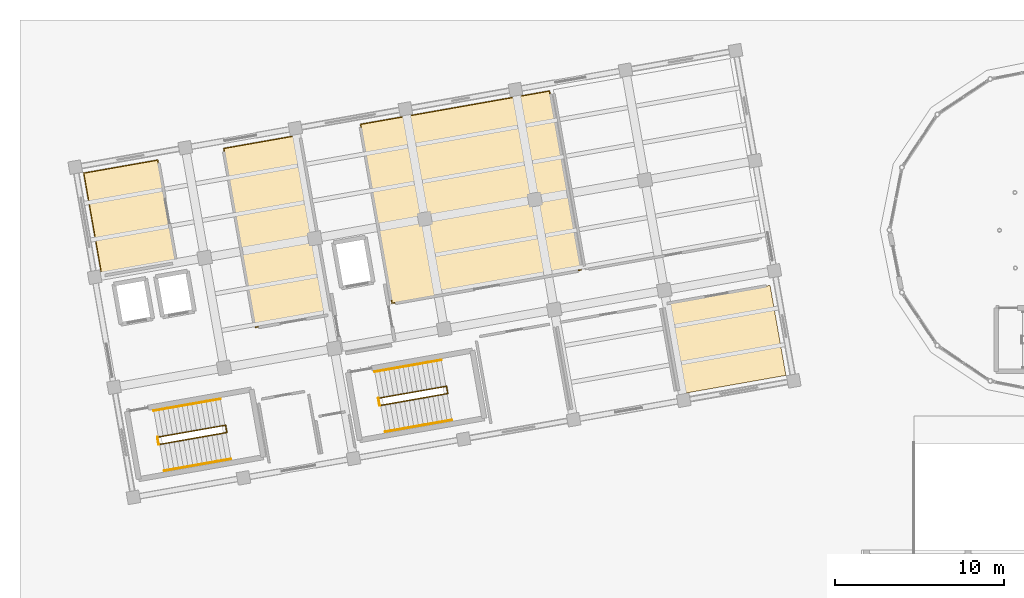
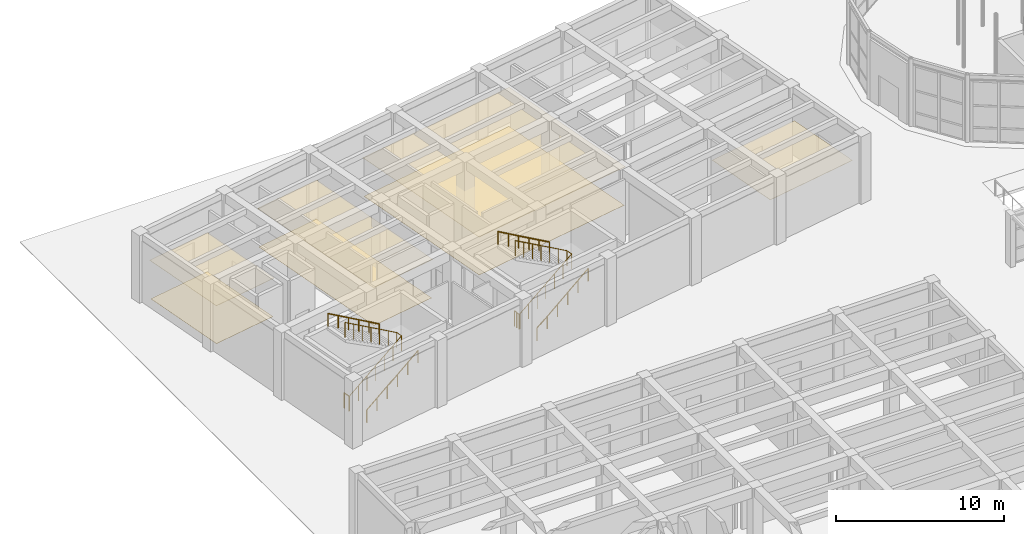
# One storey, part 53 of 57: 8 railings, 7 coverings.
"""IFC4 building model written with IfcOpenShell, lengths in metres."""

from ifc_helpers import new_model, si_unit, direction, frame, origin, origin_2d, place, context, subcontext, project, spatial, polyline, circle, outline, extrude, material, layer, layer_set, type_object, element, save


model = new_model("IFC4")

# Units and contexts
model_context = context("Model", 3, precision=1e-05, world=origin(), true_north=direction((0.0, 1.0)))
body_context = subcontext(model_context, "Body", "Model", "MODEL_VIEW")
ifc_project = project(units=[si_unit("LENGTHUNIT", "METRE"), si_unit("AREAUNIT", "SQUARE_METRE"), si_unit("VOLUMEUNIT", "CUBIC_METRE"), si_unit("PLANEANGLEUNIT", "RADIAN"), si_unit("MASSUNIT", "GRAM", prefix="KILO")], contexts=[model_context])

# Site, building, storey
site_placement = place(None, origin())
site = spatial("IfcSite", under=ifc_project, at=site_placement, CompositionType="ELEMENT")
building_placement = place(site_placement, origin())
building = spatial("IfcBuilding", under=site, at=building_placement, Name="Kharisveld Research Institute", CompositionType="ELEMENT")
storey_placement = place(building_placement, origin())
storey = spatial("IfcBuildingStorey", under=building, at=storey_placement, Name="L00", CompositionType="ELEMENT", Elevation=0.0)

# Coverings
ifc_material_1 = material(Name="Mineral-Fibre Acoustic Ceiling", Category="mineral")
ifc_layer_1 = layer(ifc_material_1, 0.02490234375)
ifc_layer_set_1 = layer_set([ifc_layer_1], Name="CV_CEIL_AC")
covering_type_1 = type_object("IfcCoveringType", Name="CV_CEIL_AC", PredefinedType="CEILING", material=ifc_layer_set_1)
covering_1_placement = place(storey_placement, frame((0.0, 0.0, 2.800048828125)))
element("IfcCovering", 1, at=covering_1_placement, inside=storey, type_object=covering_type_1, Name="COV:RM:V1:L00:SEM0:CEIL", PredefinedType="CEILING", context=body_context, shape_type="SweptSolid", body=[
    extrude(outline(polyline([(37.43212890625, 41.099609375), (43.735107421875, 42.2109375), (42.79736328125, 47.52880859375), (36.49462890625, 46.41748046875), (37.43212890625, 41.099609375)])), origin(), (0.0, 0.0, 1.0), 0.02490234375),
])
covering_2_placement = place(storey_placement, frame((0.0, 0.0, 2.800048828125)))
element("IfcCovering", 2, at=covering_2_placement, inside=storey, type_object=covering_type_1, Name="COV:RM:V1:L00:DL0W:CEIL", PredefinedType="CEILING", context=body_context, shape_type="SweptSolid", body=[
    extrude(outline(polyline([(3.3017578125, 48.078857421875), (7.7333984375, 48.8603515625), (6.65673828125, 54.966064453125), (2.22509765625, 54.184814453125), (3.3017578125, 48.078857421875)])), origin(), (0.0, 0.0, 1.0), 0.02490234375),
])
covering_3_placement = place(storey_placement, frame((0.0, 0.0, 2.800048828125)))
element("IfcCovering", 3, at=covering_3_placement, inside=storey, type_object=covering_type_1, Name="COV:RM:V1:L00:DL0A:CEIL", PredefinedType="CEILING", context=body_context, shape_type="SweptSolid", body=[
    extrude(outline(polyline([(12.373046875, 45.007568359375), (16.903076171875, 45.80615234375), (15.027587890625, 56.442138671875), (10.49755859375, 55.643310546875), (12.373046875, 45.007568359375)])), origin(), (0.0, 0.0, 1.0), 0.02490234375),
])
covering_4_placement = place(storey_placement, frame((0.0, 0.0, 2.800048828125)))
element("IfcCovering", 4, at=covering_4_placement, inside=storey, type_object=covering_type_1, Name="COV:RM:V1:L00:DL0B:CEIL", PredefinedType="CEILING", context=body_context, shape_type="SweptSolid", body=[
    extrude(outline(polyline([(20.4482421875, 46.431396484375), (31.675048828125, 48.410888671875), (29.7998046875, 59.046875), (18.572998046875, 57.0673828125), (20.4482421875, 46.431396484375)])), origin(), (0.0, 0.0, 1.0), 0.02490234375),
])
ifc_material_2 = material(Name="Seamless Chemical-Resistant Epoxy", Category="mineral")
ifc_layer_2 = layer(ifc_material_2, 0.014892578125)
ifc_layer_set_2 = layer_set([ifc_layer_2], Name="CV_FLR_EPX")
covering_type_2 = type_object("IfcCoveringType", Name="CV_FLR_EPX", PredefinedType="FLOORING", material=ifc_layer_set_2)
covering_5_placement = place(storey_placement, origin())
element("IfcCovering", 5, at=covering_5_placement, inside=storey, type_object=covering_type_2, Name="COV:RM:V1:L00:DL0W:FLR", PredefinedType="FLOORING", context=body_context, shape_type="SweptSolid", body=[
    extrude(outline(polyline([(3.34228515625, 48.136962890625), (7.675537109375, 48.90087890625), (6.6162109375, 54.908203125), (2.282958984375, 54.144287109375), (3.34228515625, 48.136962890625)])), origin(), (0.0, 0.0, 1.0), 0.014892578125),
])
covering_6_placement = place(storey_placement, origin())
element("IfcCovering", 6, at=covering_6_placement, inside=storey, type_object=covering_type_2, Name="COV:RM:V1:L00:DL0A:FLR", PredefinedType="FLOORING", context=body_context, shape_type="SweptSolid", body=[
    extrude(outline(polyline([(12.41357421875, 45.0654296875), (16.84521484375, 45.8466796875), (14.987060546875, 56.38427734375), (10.555419921875, 55.602783203125), (12.41357421875, 45.0654296875)])), origin(), (0.0, 0.0, 1.0), 0.014892578125),
])
covering_7_placement = place(storey_placement, origin())
element("IfcCovering", 7, at=covering_7_placement, inside=storey, type_object=covering_type_2, Name="COV:RM:V1:L00:DL0B:FLR", PredefinedType="FLOORING", context=body_context, shape_type="SweptSolid", body=[
    extrude(outline(polyline([(20.489013671875, 46.4892578125), (31.6171875, 48.451416015625), (29.75927734375, 58.989013671875), (18.630859375, 57.026611328125), (20.489013671875, 46.4892578125)])), origin(), (0.0, 0.0, 1.0), 0.014892578125),
])

# Railings
ifc_material_3 = material(Name="Steel S355JR", Category="steel")
railing_type_1 = type_object("IfcRailingType", Name="RL_GRD_STR", PredefinedType="GUARDRAIL", material=ifc_material_3)
railing_1_placement = place(storey_placement, frame((6.75048828125, 38.13671875, 0.0)))
element("IfcRailing", 8, at=railing_1_placement, inside=storey, type_object=railing_type_1, Name="RLG:ST1:L00:GRD_SLOT", PredefinedType="GUARDRAIL", context=body_context, shape_type="SweptSolid", body=[
    extrude(circle(Radius=0.02392578125, at=origin_2d()), frame((0.0, 0.0, 1.09619140625), z_axis=(0.83220784465, 0.146763848841, 0.534687269322), x_axis=(-0.173674748985, 0.984803067402, 0.0)), (0.0, 0.0, 1.0), 4.769287109375),
    extrude(circle(Radius=0.02392578125, at=origin_2d()), frame((3.968994140625, 0.699951171875, 3.64599609375), z_axis=(-0.173753665698, 0.984789146801, 0.0), x_axis=(-0.984789146801, -0.173753665698, 0.0)), (0.0, 0.0, 1.0), 0.439697265625),
    extrude(circle(Radius=0.02392578125, at=origin_2d()), frame((3.892578125, 1.133056640625, 3.64599609375), z_axis=(-0.832198357801, -0.14672001067, 0.534714065405), x_axis=(0.173626356234, -0.98481160047, 0.0)), (0.0, 0.0, 1.0), 4.76904296875),
    extrude(circle(Radius=0.02099609375, at=origin_2d()), origin(), (0.0, 0.0, 1.0), 1.072021484375),
    extrude(circle(Radius=0.02099609375, at=origin_2d()), frame((0.66162109375, 0.11669921875, 0.425048828125)), (0.0, 0.0, 1.0), 1.072021484375),
    extrude(circle(Radius=0.02099609375, at=origin_2d()), frame((1.322998046875, 0.2333984375, 0.85009765625)), (0.0, 0.0, 1.0), 1.072021484375),
    extrude(circle(Radius=0.02099609375, at=origin_2d()), frame((1.984375, 0.35009765625, 1.27490234375)), (0.0, 0.0, 1.0), 1.072021484375),
    extrude(circle(Radius=0.02099609375, at=origin_2d()), frame((2.64599609375, 0.466552734375, 1.699951171875)), (0.0, 0.0, 1.0), 1.072021484375),
    extrude(circle(Radius=0.02099609375, at=origin_2d()), frame((3.3076171875, 0.583251953125, 2.125)), (0.0, 0.0, 1.0), 1.072021484375),
    extrude(circle(Radius=0.02099609375, at=origin_2d()), frame((3.968994140625, 0.699951171875, 2.550048828125)), (0.0, 0.0, 1.0), 1.072021484375),
    extrude(circle(Radius=0.02099609375, at=origin_2d()), frame((3.892578125, 1.133056640625, 2.550048828125)), (0.0, 0.0, 1.0), 1.072021484375),
    extrude(circle(Radius=0.02099609375, at=origin_2d()), frame((3.231201171875, 1.016357421875, 2.97509765625)), (0.0, 0.0, 1.0), 1.072021484375),
    extrude(circle(Radius=0.02099609375, at=origin_2d()), frame((2.569580078125, 0.89990234375, 3.400146484375)), (0.0, 0.0, 1.0), 1.072021484375),
    extrude(circle(Radius=0.02099609375, at=origin_2d()), frame((1.908203125, 0.783203125, 3.8251953125)), (0.0, 0.0, 1.0), 1.072021484375),
    extrude(circle(Radius=0.02099609375, at=origin_2d()), frame((1.246826171875, 0.66650390625, 4.25)), (0.0, 0.0, 1.0), 1.072021484375),
    extrude(circle(Radius=0.02099609375, at=origin_2d()), frame((0.585205078125, 0.550048828125, 4.675048828125)), (0.0, 0.0, 1.0), 1.072021484375),
    extrude(circle(Radius=0.02099609375, at=origin_2d()), frame((-0.076171875, 0.433349609375, 5.10009765625)), (0.0, 0.0, 1.0), 1.072021484375),
])
railing_2_placement = place(storey_placement, frame((6.69140625, 38.12646484375, 0.0)))
element("IfcRailing", 9, at=railing_2_placement, inside=storey, type_object=railing_type_1, Name="RLG:ST1:L00:GRD_FLRSLOT", PredefinedType="GUARDRAIL", context=body_context, shape_type="SweptSolid", body=[
    extrude(circle(Radius=0.02392578125, at=origin_2d()), frame((0.0, 0.0, 1.09619140625), z_axis=(-0.173753665698, 0.984789146801, 0.0), x_axis=(-0.984789146801, -0.173753665698, 0.0)), (0.0, 0.0, 1.0), 0.439697265625),
    extrude(circle(Radius=0.02099609375, at=origin_2d()), origin(), (0.0, 0.0, 1.0), 1.072021484375),
    extrude(circle(Radius=0.02099609375, at=origin_2d()), frame((-0.076416015625, 0.43310546875, 0.0)), (0.0, 0.0, 1.0), 1.072021484375),
])
railing_3_placement = place(storey_placement, frame((19.79931640625, 40.4375, 0.0)))
element("IfcRailing", 10, at=railing_3_placement, inside=storey, type_object=railing_type_1, Name="RLG:ST2:L00:GRD_SLOT", PredefinedType="GUARDRAIL", context=body_context, shape_type="SweptSolid", body=[
    extrude(circle(Radius=0.02392578125, at=origin_2d()), frame((0.0, 0.0, 1.09619140625), z_axis=(0.832192106071, 0.146770101384, 0.534710048469), x_axis=(-0.173685110435, 0.984801240055, 0.0)), (0.0, 0.0, 1.0), 4.76904296875),
    extrude(circle(Radius=0.02392578125, at=origin_2d()), frame((3.96875, 0.699951171875, 3.64599609375), z_axis=(-0.173658729201, 0.984805892434, 0.0), x_axis=(-0.984805892434, -0.173658729201, 0.0)), (0.0, 0.0, 1.0), 0.43994140625),
    extrude(circle(Radius=0.02392578125, at=origin_2d()), frame((3.892333984375, 1.13330078125, 3.64599609375), z_axis=(-0.832192106071, -0.146770101384, 0.534710048469), x_axis=(0.173685110435, -0.984801240055, 0.0)), (0.0, 0.0, 1.0), 4.76904296875),
    extrude(circle(Radius=0.02099609375, at=origin_2d()), origin(), (0.0, 0.0, 1.0), 1.072021484375),
    extrude(circle(Radius=0.02099609375, at=origin_2d()), frame((0.661376953125, 0.11669921875, 0.425048828125)), (0.0, 0.0, 1.0), 1.072021484375),
    extrude(circle(Radius=0.02099609375, at=origin_2d()), frame((1.322998046875, 0.2333984375, 0.85009765625)), (0.0, 0.0, 1.0), 1.072021484375),
    extrude(circle(Radius=0.02099609375, at=origin_2d()), frame((1.984375, 0.35009765625, 1.27490234375)), (0.0, 0.0, 1.0), 1.072021484375),
    extrude(circle(Radius=0.02099609375, at=origin_2d()), frame((2.645751953125, 0.466552734375, 1.699951171875)), (0.0, 0.0, 1.0), 1.072021484375),
    extrude(circle(Radius=0.02099609375, at=origin_2d()), frame((3.307373046875, 0.583251953125, 2.125)), (0.0, 0.0, 1.0), 1.072021484375),
    extrude(circle(Radius=0.02099609375, at=origin_2d()), frame((3.96875, 0.699951171875, 2.550048828125)), (0.0, 0.0, 1.0), 1.072021484375),
    extrude(circle(Radius=0.02099609375, at=origin_2d()), frame((3.892333984375, 1.13330078125, 2.550048828125)), (0.0, 0.0, 1.0), 1.072021484375),
    extrude(circle(Radius=0.02099609375, at=origin_2d()), frame((3.23095703125, 1.0166015625, 2.97509765625)), (0.0, 0.0, 1.0), 1.072021484375),
    extrude(circle(Radius=0.02099609375, at=origin_2d()), frame((2.5693359375, 0.89990234375, 3.400146484375)), (0.0, 0.0, 1.0), 1.072021484375),
    extrude(circle(Radius=0.02099609375, at=origin_2d()), frame((1.907958984375, 0.783203125, 3.8251953125)), (0.0, 0.0, 1.0), 1.072021484375),
    extrude(circle(Radius=0.02099609375, at=origin_2d()), frame((1.24658203125, 0.666748046875, 4.25)), (0.0, 0.0, 1.0), 1.072021484375),
    extrude(circle(Radius=0.02099609375, at=origin_2d()), frame((0.5849609375, 0.550048828125, 4.675048828125)), (0.0, 0.0, 1.0), 1.072021484375),
    extrude(circle(Radius=0.02099609375, at=origin_2d()), frame((-0.076416015625, 0.433349609375, 5.10009765625)), (0.0, 0.0, 1.0), 1.072021484375),
])
railing_4_placement = place(storey_placement, frame((19.740234375, 40.42724609375, 0.0)))
element("IfcRailing", 11, at=railing_4_placement, inside=storey, type_object=railing_type_1, Name="RLG:ST2:L00:GRD_FLRSLOT", PredefinedType="GUARDRAIL", context=body_context, shape_type="SweptSolid", body=[
    extrude(circle(Radius=0.02392578125, at=origin_2d()), frame((0.0, 0.0, 1.09619140625), z_axis=(-0.173658729201, 0.984805892434, 0.0), x_axis=(-0.984805892434, -0.173658729201, 0.0)), (0.0, 0.0, 1.0), 0.43994140625),
    extrude(circle(Radius=0.02099609375, at=origin_2d()), origin(), (0.0, 0.0, 1.0), 1.072021484375),
    extrude(circle(Radius=0.02099609375, at=origin_2d()), frame((-0.0380859375, 0.216796875, 0.0)), (0.0, 0.0, 1.0), 1.072021484375),
    extrude(circle(Radius=0.02099609375, at=origin_2d()), frame((-0.076416015625, 0.433349609375, 0.0)), (0.0, 0.0, 1.0), 1.072021484375),
])
ifc_material_4 = material(Name="Stainless Steel 316", Category="steel")
railing_type_2 = type_object("IfcRailingType", Name="RL_HND_STR", PredefinedType="HANDRAIL", material=ifc_material_4)
railing_5_placement = place(storey_placement, frame((7.02490234375, 36.580810546875, 0.0)))
element("IfcRailing", 12, at=railing_5_placement, inside=storey, type_object=railing_type_2, Name="RLG:ST1:L00:HR1", PredefinedType="HANDRAIL", context=body_context, shape_type="SweptSolid", body=[
    extrude(circle(Radius=0.02392578125, at=origin_2d()), frame((0.0, 0.0, 0.89599609375), z_axis=(0.829814154495, 0.146319513542, 0.53851561626), x_axis=(-0.173649201052, 0.984807572561, 0.0)), (0.0, 0.0, 1.0), 4.7353515625),
    extrude(circle(Radius=0.02099609375, at=origin_2d()), origin(), (0.0, 0.0, 1.0), 0.871826171875),
    extrude(circle(Radius=0.02099609375, at=origin_2d()), frame((0.785888671875, 0.138671875, 0.510009765625)), (0.0, 0.0, 1.0), 0.871826171875),
    extrude(circle(Radius=0.02099609375, at=origin_2d()), frame((1.57177734375, 0.277099609375, 1.02001953125)), (0.0, 0.0, 1.0), 0.871826171875),
    extrude(circle(Radius=0.02099609375, at=origin_2d()), frame((2.357666015625, 0.415771484375, 1.530029296875)), (0.0, 0.0, 1.0), 0.871826171875),
    extrude(circle(Radius=0.02099609375, at=origin_2d()), frame((3.1435546875, 0.55419921875, 2.0400390625)), (0.0, 0.0, 1.0), 0.871826171875),
    extrude(circle(Radius=0.02099609375, at=origin_2d()), frame((3.929443359375, 0.69287109375, 2.550048828125)), (0.0, 0.0, 1.0), 0.871826171875),
])
railing_6_placement = place(storey_placement, frame((10.3291015625, 40.81884765625, 2.550048828125)))
element("IfcRailing", 13, at=railing_6_placement, inside=storey, type_object=railing_type_2, Name="RLG:ST1:L00:HR2", PredefinedType="HANDRAIL", context=body_context, shape_type="SweptSolid", body=[
    extrude(circle(Radius=0.02392578125, at=origin_2d()), frame((0.0, 0.0, 0.89599609375), z_axis=(-0.829798098097, -0.146325773729, 0.538538656308), x_axis=(0.173659665355, -0.984805727354, 0.0)), (0.0, 0.0, 1.0), 4.735107421875),
    extrude(circle(Radius=0.02099609375, at=origin_2d()), origin(), (0.0, 0.0, 1.0), 0.871826171875),
    extrude(circle(Radius=0.02099609375, at=origin_2d()), frame((-0.785888671875, -0.138671875, 0.510009765625)), (0.0, 0.0, 1.0), 0.871826171875),
    extrude(circle(Radius=0.02099609375, at=origin_2d()), frame((-1.57177734375, -0.277099609375, 1.02001953125)), (0.0, 0.0, 1.0), 0.871826171875),
    extrude(circle(Radius=0.02099609375, at=origin_2d()), frame((-2.357421875, -0.415771484375, 1.530029296875)), (0.0, 0.0, 1.0), 0.871826171875),
    extrude(circle(Radius=0.02099609375, at=origin_2d()), frame((-3.143310546875, -0.55419921875, 2.0400390625)), (0.0, 0.0, 1.0), 0.871826171875),
    extrude(circle(Radius=0.02099609375, at=origin_2d()), frame((-3.92919921875, -0.69287109375, 2.550048828125)), (0.0, 0.0, 1.0), 0.871826171875),
])
railing_7_placement = place(storey_placement, frame((20.07373046875, 38.881591796875, 0.0)))
element("IfcRailing", 14, at=railing_7_placement, inside=storey, type_object=railing_type_2, Name="RLG:ST2:L00:HR1", PredefinedType="HANDRAIL", context=body_context, shape_type="SweptSolid", body=[
    extrude(circle(Radius=0.02392578125, at=origin_2d()), frame((0.0, 0.0, 0.89599609375), z_axis=(0.829798098097, 0.146325773729, 0.538538656308), x_axis=(-0.173659665355, 0.984805727354, 0.0)), (0.0, 0.0, 1.0), 4.735107421875),
    extrude(circle(Radius=0.02099609375, at=origin_2d()), origin(), (0.0, 0.0, 1.0), 0.871826171875),
    extrude(circle(Radius=0.02099609375, at=origin_2d()), frame((0.785888671875, 0.138671875, 0.510009765625)), (0.0, 0.0, 1.0), 0.871826171875),
    extrude(circle(Radius=0.02099609375, at=origin_2d()), frame((1.57177734375, 0.277099609375, 1.02001953125)), (0.0, 0.0, 1.0), 0.871826171875),
    extrude(circle(Radius=0.02099609375, at=origin_2d()), frame((2.357421875, 0.415771484375, 1.530029296875)), (0.0, 0.0, 1.0), 0.871826171875),
    extrude(circle(Radius=0.02099609375, at=origin_2d()), frame((3.143310546875, 0.55419921875, 2.0400390625)), (0.0, 0.0, 1.0), 0.871826171875),
    extrude(circle(Radius=0.02099609375, at=origin_2d()), frame((3.92919921875, 0.69287109375, 2.550048828125)), (0.0, 0.0, 1.0), 0.871826171875),
])
railing_8_placement = place(storey_placement, frame((23.3779296875, 43.119873046875, 2.550048828125)))
element("IfcRailing", 15, at=railing_8_placement, inside=storey, type_object=railing_type_2, Name="RLG:ST2:L00:HR2", PredefinedType="HANDRAIL", context=body_context, shape_type="SweptSolid", body=[
    extrude(circle(Radius=0.02392578125, at=origin_2d()), frame((0.0, 0.0, 0.89599609375), z_axis=(-0.829814154495, -0.146319513542, 0.53851561626), x_axis=(0.173649201052, -0.984807572561, 0.0)), (0.0, 0.0, 1.0), 4.7353515625),
    extrude(circle(Radius=0.02099609375, at=origin_2d()), origin(), (0.0, 0.0, 1.0), 0.871826171875),
    extrude(circle(Radius=0.02099609375, at=origin_2d()), frame((-0.785888671875, -0.138671875, 0.510009765625)), (0.0, 0.0, 1.0), 0.871826171875),
    extrude(circle(Radius=0.02099609375, at=origin_2d()), frame((-1.57177734375, -0.277099609375, 1.02001953125)), (0.0, 0.0, 1.0), 0.871826171875),
    extrude(circle(Radius=0.02099609375, at=origin_2d()), frame((-2.357666015625, -0.415771484375, 1.530029296875)), (0.0, 0.0, 1.0), 0.871826171875),
    extrude(circle(Radius=0.02099609375, at=origin_2d()), frame((-3.1435546875, -0.55419921875, 2.0400390625)), (0.0, 0.0, 1.0), 0.871826171875),
    extrude(circle(Radius=0.02099609375, at=origin_2d()), frame((-3.929443359375, -0.69287109375, 2.550048828125)), (0.0, 0.0, 1.0), 0.871826171875),
])

save(model, "model.ifc")
